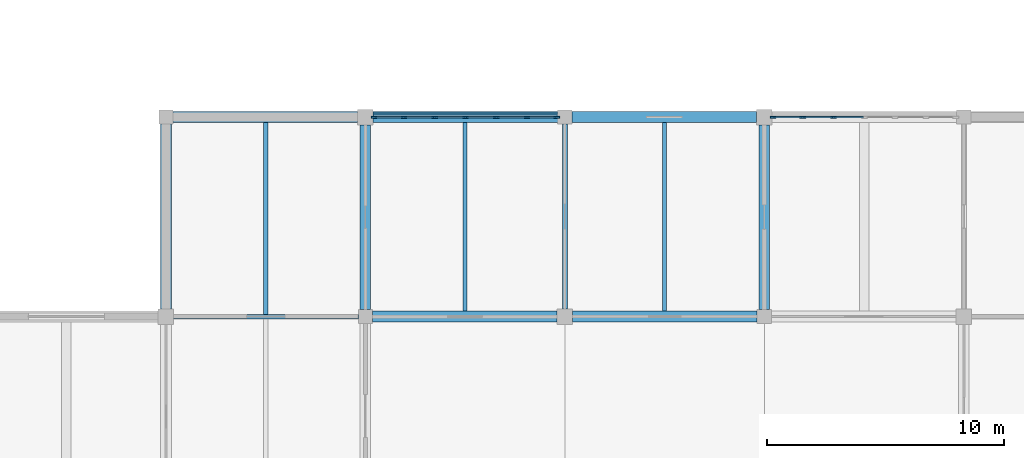
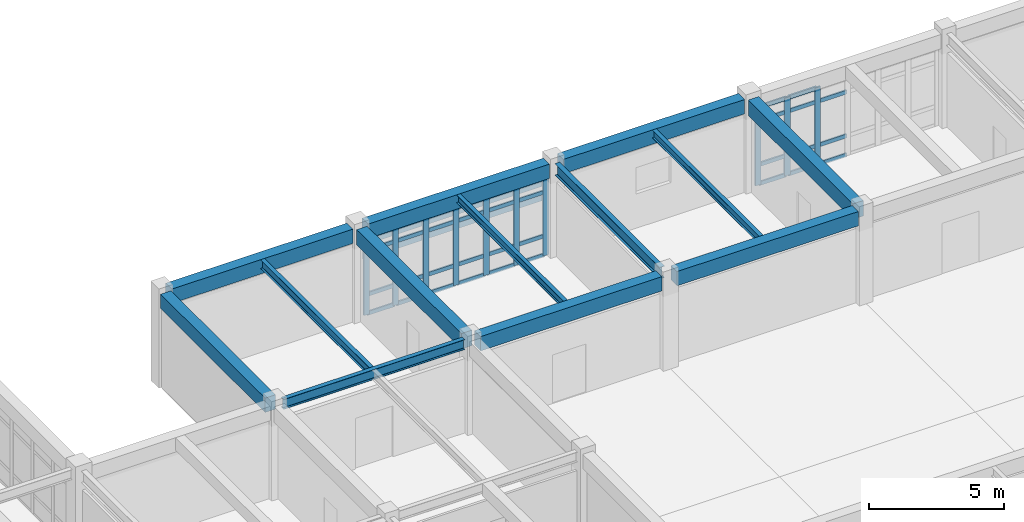
# One storey, part 20 of 78: 47 members, 13 beams, 2 elements without a shape of their own.
"""IFC4 building model written with IfcOpenShell, lengths in metres."""

from ifc_helpers import new_model, si_unit, direction, frame, origin, origin_2d, place, context, subcontext, project, spatial, rectangle, i_section, extrude, material, layer, layer_set, material_profile, profile_set, type_object, element, aggregate, save


model = new_model("IFC4")

# Units and contexts
model_context = context("Model", 3, precision=1e-05, world=origin(), true_north=direction((0.0, 1.0)))
body_context = subcontext(model_context, "Body", "Model", "MODEL_VIEW")
ifc_project = project(units=[si_unit("LENGTHUNIT", "METRE"), si_unit("AREAUNIT", "SQUARE_METRE"), si_unit("VOLUMEUNIT", "CUBIC_METRE"), si_unit("PLANEANGLEUNIT", "RADIAN"), si_unit("MASSUNIT", "GRAM", prefix="KILO")], contexts=[model_context])

# Site, building, storey
site_placement = place(None, origin())
site = spatial("IfcSite", under=ifc_project, at=site_placement, CompositionType="ELEMENT")
building_placement = place(site_placement, origin())
building = spatial("IfcBuilding", under=site, at=building_placement, Name="Porcellanite Civic Hall", CompositionType="ELEMENT")
storey_placement = place(building_placement, frame((0.0, 0.0, 10.260009765625)))
storey = spatial("IfcBuildingStorey", under=building, at=storey_placement, Name="L02", CompositionType="ELEMENT", Elevation=10.260009765625)

# Beams
ifc_material_1 = material(Name="Concrete N50 (50 MPa)", Category="concrete")
ifc_material_profile_1 = material_profile(ifc_material_1, rectangle(XDim=0.449951171875, YDim=0.64990234375, at=origin_2d()), Name="RC-450x650")
ifc_profile_set_1 = profile_set([ifc_material_profile_1], Name="Concrete N50 (50 MPa)")
beam_type_1 = type_object("IfcBeamType", Name="BM-RC650", PredefinedType="SPANDREL", material=ifc_profile_set_1)
beam_1_placement = place(storey_placement, frame((67.49951171875, 75.60009765625, 3.9150390625), z_axis=(1.0, 0.0, 0.0), x_axis=(0.0, 1.0, 0.0)))
element("IfcBeam", 1, at=beam_1_placement, inside=storey, type_object=beam_type_1, Name="Beam X L02 9-10", PredefinedType="SPANDREL", context=body_context, shape_type="SweptSolid", body=[
    extrude(rectangle(XDim=0.449951171875, YDim=0.64990234375, at=origin_2d()), origin(), (0.0, 0.0, 1.0), 7.77587890625),
])
beam_2_placement = place(storey_placement, frame((75.8994140625, 67.199951171875, 3.9150390625), z_axis=(1.0, 0.0, 0.0), x_axis=(0.0, 1.0, 0.0)))
element("IfcBeam", 2, at=beam_2_placement, inside=storey, type_object=beam_type_1, Name="Beam X L02 10-9", PredefinedType="SPANDREL", context=body_context, shape_type="SweptSolid", body=[
    extrude(rectangle(XDim=0.449951171875, YDim=0.64990234375, at=origin_2d()), origin(), (0.0, 0.0, 1.0), 7.776123046875),
])
beam_3_placement = place(storey_placement, frame((75.924560546875, 75.60009765625, 3.9150390625), z_axis=(1.0, 0.0, 0.0), x_axis=(0.0, 1.0, 0.0)))
element("IfcBeam", 3, at=beam_3_placement, inside=storey, type_object=beam_type_1, Name="Beam X L02 10-10", PredefinedType="SPANDREL", context=body_context, shape_type="SweptSolid", body=[
    extrude(rectangle(XDim=0.449951171875, YDim=0.64990234375, at=origin_2d()), origin(), (0.0, 0.0, 1.0), 7.77587890625),
])
beam_4_placement = place(storey_placement, frame((84.324462890625, 67.199951171875, 3.9150390625), z_axis=(1.0, 0.0, 0.0), x_axis=(0.0, 1.0, 0.0)))
element("IfcBeam", 4, at=beam_4_placement, inside=storey, type_object=beam_type_1, Name="Beam X L02 11-9", PredefinedType="SPANDREL", context=body_context, shape_type="SweptSolid", body=[
    extrude(rectangle(XDim=0.449951171875, YDim=0.64990234375, at=origin_2d()), origin(), (0.0, 0.0, 1.0), 7.776123046875),
])
beam_5_placement = place(storey_placement, frame((84.299560546875, 75.60009765625, 3.9150390625), z_axis=(1.0, 0.0, 0.0), x_axis=(0.0, 1.0, 0.0)))
element("IfcBeam", 5, at=beam_5_placement, inside=storey, type_object=beam_type_1, Name="Beam X L02 11-10", PredefinedType="SPANDREL", context=body_context, shape_type="SweptSolid", body=[
    extrude(rectangle(XDim=0.449951171875, YDim=0.64990234375, at=origin_2d()), origin(), (0.0, 0.0, 1.0), 7.77587890625),
])
beam_6_placement = place(storey_placement, frame((67.199951171875, 67.5244140625, 3.9150390625), z_axis=(0.0, 1.0, 0.0), x_axis=(-1.0, 0.0, 0.0)))
element("IfcBeam", 6, at=beam_6_placement, inside=storey, type_object=beam_type_1, Name="Beam Y L02 9-9", PredefinedType="SPANDREL", context=body_context, shape_type="SweptSolid", body=[
    extrude(rectangle(XDim=0.449951171875, YDim=0.64990234375, at=origin_2d()), origin(), (0.0, 0.0, 1.0), 7.776123046875),
])
ifc_material_2 = material(Name="Concrete N50 (50 MPa)", Category="concrete")
ifc_material_profile_2 = material_profile(ifc_material_2, rectangle(XDim=0.449951171875, YDim=0.699951171875, at=origin_2d()), Name="RC-450x700")
ifc_profile_set_2 = profile_set([ifc_material_profile_2], Name="Concrete N50 (50 MPa)")
beam_type_2 = type_object("IfcBeamType", Name="BM-RC700", PredefinedType="BEAM", material=ifc_profile_set_2)
for number, where, z_axis, x_axis, name in (
    (7, (75.60009765625, 67.49951171875, 3.889892578125), (0.0, 1.0, 0.0), (-1.0, 0.0, 0.0), "Beam Y L02 10-9"),
    (8, (92.39990234375, 67.49951171875, 3.889892578125), (0.0, 1.0, 0.0), (-1.0, 0.0, 0.0), "Beam Y L02 12-9"),
):
    element("IfcBeam", number, at=place(storey_placement, frame(where, z_axis=z_axis, x_axis=x_axis)), inside=storey, type_object=beam_type_2, Name=name, PredefinedType="BEAM", context=body_context, shape_type="SweptSolid", body=[
        extrude(rectangle(XDim=0.449951171875, YDim=0.699951171875, at=origin_2d()), origin(), (0.0, 0.0, 1.0), 7.77587890625),
    ])

# Curtain wall, members
ifc_material_3 = material(Name="Anodised aluminium and solar laminated glass", Category="aluminium")
ifc_layer = layer(ifc_material_3, 0.179931640625)
ifc_layer_set = layer_set([ifc_layer], Name="Anodised aluminium and solar laminated glass")
curtain_wall_type = type_object("IfcCurtainWallType", Name="CW-SYS01", PredefinedType="NOTDEFINED", material=ifc_layer_set)
curtain_wall_1_placement = place(storey_placement, origin())
curtain_wall_1 = element("IfcCurtainWall", 9, at=curtain_wall_1_placement, inside=storey, type_object=curtain_wall_type, Name="Curtain wall CW-154", PredefinedType="NOTDEFINED")
ifc_material_4 = material(Name="Anodised aluminium 6063-T6", Category="aluminium")
ifc_material_profile_3 = material_profile(ifc_material_4, rectangle(XDim=0.080078125, YDim=0.239990234375, at=origin_2d()), Name="AL-80x240")
ifc_profile_set_3 = profile_set([ifc_material_profile_3], Name="Anodised aluminium 6063-T6")
member_type_1 = type_object("IfcMemberType", Name="CWM-01", PredefinedType="MULLION", material=ifc_profile_set_3)
member_1_placement = place(storey_placement, frame((75.966064453125, 75.60009765625, 0.0), z_axis=(0.0, 0.0, 1.0), x_axis=(0.0, 1.0, 0.0)))
member_1 = element("IfcMember", 10, at=member_1_placement, type_object=member_type_1, Name="CW-154 mullion 1", PredefinedType="MULLION", context=body_context, shape_type="SweptSolid", body=[
    extrude(rectangle(XDim=0.080078125, YDim=0.239990234375, at=origin_2d()), origin(), (0.0, 0.0, 1.0), 3.5400390625),
])
member_2_placement = place(storey_placement, frame((77.221435546875, 75.60009765625, 0.0), z_axis=(0.0, 0.0, 1.0), x_axis=(0.0, 1.0, 0.0)))
member_2 = element("IfcMember", 11, at=member_2_placement, type_object=member_type_1, Name="CW-154 mullion 2", PredefinedType="MULLION", context=body_context, shape_type="SweptSolid", body=[
    extrude(rectangle(XDim=0.080078125, YDim=0.239990234375, at=origin_2d()), origin(), (0.0, 0.0, 1.0), 3.5400390625),
])
member_3_placement = place(storey_placement, frame((78.51708984375, 75.60009765625, 0.0), z_axis=(0.0, 0.0, 1.0), x_axis=(0.0, 1.0, 0.0)))
member_3 = element("IfcMember", 12, at=member_3_placement, type_object=member_type_1, Name="CW-154 mullion 3", PredefinedType="MULLION", context=body_context, shape_type="SweptSolid", body=[
    extrude(rectangle(XDim=0.080078125, YDim=0.239990234375, at=origin_2d()), origin(), (0.0, 0.0, 1.0), 3.5400390625),
])
member_4_placement = place(storey_placement, frame((79.8125, 75.60009765625, 0.0), z_axis=(0.0, 0.0, 1.0), x_axis=(0.0, 1.0, 0.0)))
member_4 = element("IfcMember", 13, at=member_4_placement, type_object=member_type_1, Name="CW-154 mullion 4", PredefinedType="MULLION", context=body_context, shape_type="SweptSolid", body=[
    extrude(rectangle(XDim=0.080078125, YDim=0.239990234375, at=origin_2d()), origin(), (0.0, 0.0, 1.0), 3.5400390625),
])
member_5_placement = place(storey_placement, frame((81.10791015625, 75.60009765625, 0.0), z_axis=(0.0, 0.0, 1.0), x_axis=(0.0, 1.0, 0.0)))
member_5 = element("IfcMember", 14, at=member_5_placement, type_object=member_type_1, Name="CW-154 mullion 5", PredefinedType="MULLION", context=body_context, shape_type="SweptSolid", body=[
    extrude(rectangle(XDim=0.080078125, YDim=0.239990234375, at=origin_2d()), origin(), (0.0, 0.0, 1.0), 3.5400390625),
])
member_6_placement = place(storey_placement, frame((82.403564453125, 75.60009765625, 0.0), z_axis=(0.0, 0.0, 1.0), x_axis=(0.0, 1.0, 0.0)))
member_6 = element("IfcMember", 15, at=member_6_placement, type_object=member_type_1, Name="CW-154 mullion 6", PredefinedType="MULLION", context=body_context, shape_type="SweptSolid", body=[
    extrude(rectangle(XDim=0.080078125, YDim=0.239990234375, at=origin_2d()), origin(), (0.0, 0.0, 1.0), 3.5400390625),
])
member_7_placement = place(storey_placement, frame((83.658935546875, 75.60009765625, 0.0), z_axis=(0.0, 0.0, 1.0), x_axis=(0.0, 1.0, 0.0)))
member_7 = element("IfcMember", 16, at=member_7_placement, type_object=member_type_1, Name="CW-154 mullion 7", PredefinedType="MULLION", context=body_context, shape_type="SweptSolid", body=[
    extrude(rectangle(XDim=0.080078125, YDim=0.239990234375, at=origin_2d()), origin(), (0.0, 0.0, 1.0), 3.5400390625),
])

curtain_wall_2_placement = place(storey_placement, origin())
curtain_wall_2 = element("IfcCurtainWall", 17, at=curtain_wall_2_placement, inside=storey, type_object=curtain_wall_type, Name="Curtain wall CW-157", PredefinedType="NOTDEFINED")
member_8_placement = place(storey_placement, frame((92.76611328125, 75.60009765625, 0.0), z_axis=(0.0, 0.0, 1.0), x_axis=(0.0, 1.0, 0.0)))
member_8 = element("IfcMember", 18, at=member_8_placement, type_object=member_type_1, Name="CW-157 mullion 1", PredefinedType="MULLION", context=body_context, shape_type="SweptSolid", body=[
    extrude(rectangle(XDim=0.080078125, YDim=0.239990234375, at=origin_2d()), origin(), (0.0, 0.0, 1.0), 3.5400390625),
])
member_9_placement = place(storey_placement, frame((94.021484375, 75.60009765625, 0.0), z_axis=(0.0, 0.0, 1.0), x_axis=(0.0, 1.0, 0.0)))
member_9 = element("IfcMember", 19, at=member_9_placement, type_object=member_type_1, Name="CW-157 mullion 2", PredefinedType="MULLION", context=body_context, shape_type="SweptSolid", body=[
    extrude(rectangle(XDim=0.080078125, YDim=0.239990234375, at=origin_2d()), origin(), (0.0, 0.0, 1.0), 3.5400390625),
])
member_10_placement = place(storey_placement, frame((95.31689453125, 75.60009765625, 0.0), z_axis=(0.0, 0.0, 1.0), x_axis=(0.0, 1.0, 0.0)))
member_10 = element("IfcMember", 20, at=member_10_placement, type_object=member_type_1, Name="CW-157 mullion 3", PredefinedType="MULLION", context=body_context, shape_type="SweptSolid", body=[
    extrude(rectangle(XDim=0.080078125, YDim=0.239990234375, at=origin_2d()), origin(), (0.0, 0.0, 1.0), 3.5400390625),
])

# Member
ifc_material_5 = material(Name="Anodised aluminium 6063-T6", Category="aluminium")
ifc_material_profile_4 = material_profile(ifc_material_5, rectangle(XDim=0.070068359375, YDim=0.175048828125, at=origin_2d()), Name="AL-70x175")
ifc_profile_set_4 = profile_set([ifc_material_profile_4], Name="Anodised aluminium 6063-T6")
member_type_2 = type_object("IfcMemberType", Name="CWT-01", PredefinedType="USERDEFINED", material=ifc_profile_set_4)
member_11_placement = place(storey_placement, frame((76.006103515625, 75.60009765625, 0.034912109375), z_axis=(1.0, 0.0, 0.0), x_axis=(0.0, 1.0, 0.0)))
member_11 = element("IfcMember", 21, at=member_11_placement, type_object=member_type_2, Name="CW-154 transom 1.1", ObjectType="TRANSOM", PredefinedType="USERDEFINED", context=body_context, shape_type="SweptSolid", body=[
    extrude(rectangle(XDim=0.070068359375, YDim=0.175048828125, at=origin_2d()), origin(), (0.0, 0.0, 1.0), 1.17529296875),
])

member_12_placement = place(storey_placement, frame((76.006103515625, 75.60009765625, 0.89990234375), z_axis=(1.0, 0.0, 0.0), x_axis=(0.0, 1.0, 0.0)))
member_12 = element("IfcMember", 22, at=member_12_placement, type_object=member_type_2, Name="CW-154 transom 1.2", ObjectType="TRANSOM", PredefinedType="USERDEFINED", context=body_context, shape_type="SweptSolid", body=[
    extrude(rectangle(XDim=0.070068359375, YDim=0.175048828125, at=origin_2d()), origin(), (0.0, 0.0, 1.0), 1.17529296875),
])

member_13_placement = place(storey_placement, frame((76.006103515625, 75.60009765625, 2.889892578125), z_axis=(1.0, 0.0, 0.0), x_axis=(0.0, 1.0, 0.0)))
member_13 = element("IfcMember", 23, at=member_13_placement, type_object=member_type_2, Name="CW-154 transom 1.3", ObjectType="TRANSOM", PredefinedType="USERDEFINED", context=body_context, shape_type="SweptSolid", body=[
    extrude(rectangle(XDim=0.070068359375, YDim=0.175048828125, at=origin_2d()), origin(), (0.0, 0.0, 1.0), 1.17529296875),
])

member_14_placement = place(storey_placement, frame((76.006103515625, 75.60009765625, 3.5048828125), z_axis=(1.0, 0.0, 0.0), x_axis=(0.0, 1.0, 0.0)))
member_14 = element("IfcMember", 24, at=member_14_placement, type_object=member_type_2, Name="CW-154 transom 1.4", ObjectType="TRANSOM", PredefinedType="USERDEFINED", context=body_context, shape_type="SweptSolid", body=[
    extrude(rectangle(XDim=0.070068359375, YDim=0.175048828125, at=origin_2d()), origin(), (0.0, 0.0, 1.0), 1.17529296875),
])

member_15_placement = place(storey_placement, frame((77.261474609375, 75.60009765625, 0.034912109375), z_axis=(1.0, 0.0, 0.0), x_axis=(0.0, 1.0, 0.0)))
member_15 = element("IfcMember", 25, at=member_15_placement, type_object=member_type_2, Name="CW-154 transom 2.1", ObjectType="TRANSOM", PredefinedType="USERDEFINED", context=body_context, shape_type="SweptSolid", body=[
    extrude(rectangle(XDim=0.070068359375, YDim=0.175048828125, at=origin_2d()), origin(), (0.0, 0.0, 1.0), 1.215576171875),
])

member_16_placement = place(storey_placement, frame((77.261474609375, 75.60009765625, 0.89990234375), z_axis=(1.0, 0.0, 0.0), x_axis=(0.0, 1.0, 0.0)))
member_16 = element("IfcMember", 26, at=member_16_placement, type_object=member_type_2, Name="CW-154 transom 2.2", ObjectType="TRANSOM", PredefinedType="USERDEFINED", context=body_context, shape_type="SweptSolid", body=[
    extrude(rectangle(XDim=0.070068359375, YDim=0.175048828125, at=origin_2d()), origin(), (0.0, 0.0, 1.0), 1.215576171875),
])

member_17_placement = place(storey_placement, frame((77.261474609375, 75.60009765625, 2.889892578125), z_axis=(1.0, 0.0, 0.0), x_axis=(0.0, 1.0, 0.0)))
member_17 = element("IfcMember", 27, at=member_17_placement, type_object=member_type_2, Name="CW-154 transom 2.3", ObjectType="TRANSOM", PredefinedType="USERDEFINED", context=body_context, shape_type="SweptSolid", body=[
    extrude(rectangle(XDim=0.070068359375, YDim=0.175048828125, at=origin_2d()), origin(), (0.0, 0.0, 1.0), 1.215576171875),
])

member_18_placement = place(storey_placement, frame((77.261474609375, 75.60009765625, 3.5048828125), z_axis=(1.0, 0.0, 0.0), x_axis=(0.0, 1.0, 0.0)))
member_18 = element("IfcMember", 28, at=member_18_placement, type_object=member_type_2, Name="CW-154 transom 2.4", ObjectType="TRANSOM", PredefinedType="USERDEFINED", context=body_context, shape_type="SweptSolid", body=[
    extrude(rectangle(XDim=0.070068359375, YDim=0.175048828125, at=origin_2d()), origin(), (0.0, 0.0, 1.0), 1.215576171875),
])

member_19_placement = place(storey_placement, frame((78.556884765625, 75.60009765625, 0.034912109375), z_axis=(1.0, 0.0, 0.0), x_axis=(0.0, 1.0, 0.0)))
member_19 = element("IfcMember", 29, at=member_19_placement, type_object=member_type_2, Name="CW-154 transom 3.1", ObjectType="TRANSOM", PredefinedType="USERDEFINED", context=body_context, shape_type="SweptSolid", body=[
    extrude(rectangle(XDim=0.070068359375, YDim=0.175048828125, at=origin_2d()), origin(), (0.0, 0.0, 1.0), 1.215576171875),
])

member_20_placement = place(storey_placement, frame((78.556884765625, 75.60009765625, 0.89990234375), z_axis=(1.0, 0.0, 0.0), x_axis=(0.0, 1.0, 0.0)))
member_20 = element("IfcMember", 30, at=member_20_placement, type_object=member_type_2, Name="CW-154 transom 3.2", ObjectType="TRANSOM", PredefinedType="USERDEFINED", context=body_context, shape_type="SweptSolid", body=[
    extrude(rectangle(XDim=0.070068359375, YDim=0.175048828125, at=origin_2d()), origin(), (0.0, 0.0, 1.0), 1.215576171875),
])

member_21_placement = place(storey_placement, frame((78.556884765625, 75.60009765625, 2.889892578125), z_axis=(1.0, 0.0, 0.0), x_axis=(0.0, 1.0, 0.0)))
member_21 = element("IfcMember", 31, at=member_21_placement, type_object=member_type_2, Name="CW-154 transom 3.3", ObjectType="TRANSOM", PredefinedType="USERDEFINED", context=body_context, shape_type="SweptSolid", body=[
    extrude(rectangle(XDim=0.070068359375, YDim=0.175048828125, at=origin_2d()), origin(), (0.0, 0.0, 1.0), 1.215576171875),
])

member_22_placement = place(storey_placement, frame((78.556884765625, 75.60009765625, 3.5048828125), z_axis=(1.0, 0.0, 0.0), x_axis=(0.0, 1.0, 0.0)))
member_22 = element("IfcMember", 32, at=member_22_placement, type_object=member_type_2, Name="CW-154 transom 3.4", ObjectType="TRANSOM", PredefinedType="USERDEFINED", context=body_context, shape_type="SweptSolid", body=[
    extrude(rectangle(XDim=0.070068359375, YDim=0.175048828125, at=origin_2d()), origin(), (0.0, 0.0, 1.0), 1.215576171875),
])

member_23_placement = place(storey_placement, frame((79.8525390625, 75.60009765625, 0.034912109375), z_axis=(1.0, 0.0, 0.0), x_axis=(0.0, 1.0, 0.0)))
member_23 = element("IfcMember", 33, at=member_23_placement, type_object=member_type_2, Name="CW-154 transom 4.1", ObjectType="TRANSOM", PredefinedType="USERDEFINED", context=body_context, shape_type="SweptSolid", body=[
    extrude(rectangle(XDim=0.070068359375, YDim=0.175048828125, at=origin_2d()), origin(), (0.0, 0.0, 1.0), 1.215576171875),
])

member_24_placement = place(storey_placement, frame((79.8525390625, 75.60009765625, 0.89990234375), z_axis=(1.0, 0.0, 0.0), x_axis=(0.0, 1.0, 0.0)))
member_24 = element("IfcMember", 34, at=member_24_placement, type_object=member_type_2, Name="CW-154 transom 4.2", ObjectType="TRANSOM", PredefinedType="USERDEFINED", context=body_context, shape_type="SweptSolid", body=[
    extrude(rectangle(XDim=0.070068359375, YDim=0.175048828125, at=origin_2d()), origin(), (0.0, 0.0, 1.0), 1.215576171875),
])

member_25_placement = place(storey_placement, frame((79.8525390625, 75.60009765625, 2.889892578125), z_axis=(1.0, 0.0, 0.0), x_axis=(0.0, 1.0, 0.0)))
member_25 = element("IfcMember", 35, at=member_25_placement, type_object=member_type_2, Name="CW-154 transom 4.3", ObjectType="TRANSOM", PredefinedType="USERDEFINED", context=body_context, shape_type="SweptSolid", body=[
    extrude(rectangle(XDim=0.070068359375, YDim=0.175048828125, at=origin_2d()), origin(), (0.0, 0.0, 1.0), 1.215576171875),
])

member_26_placement = place(storey_placement, frame((79.8525390625, 75.60009765625, 3.5048828125), z_axis=(1.0, 0.0, 0.0), x_axis=(0.0, 1.0, 0.0)))
member_26 = element("IfcMember", 36, at=member_26_placement, type_object=member_type_2, Name="CW-154 transom 4.4", ObjectType="TRANSOM", PredefinedType="USERDEFINED", context=body_context, shape_type="SweptSolid", body=[
    extrude(rectangle(XDim=0.070068359375, YDim=0.175048828125, at=origin_2d()), origin(), (0.0, 0.0, 1.0), 1.215576171875),
])

member_27_placement = place(storey_placement, frame((81.14794921875, 75.60009765625, 0.034912109375), z_axis=(1.0, 0.0, 0.0), x_axis=(0.0, 1.0, 0.0)))
member_27 = element("IfcMember", 37, at=member_27_placement, type_object=member_type_2, Name="CW-154 transom 5.1", ObjectType="TRANSOM", PredefinedType="USERDEFINED", context=body_context, shape_type="SweptSolid", body=[
    extrude(rectangle(XDim=0.070068359375, YDim=0.175048828125, at=origin_2d()), origin(), (0.0, 0.0, 1.0), 1.215576171875),
])

member_28_placement = place(storey_placement, frame((81.14794921875, 75.60009765625, 0.89990234375), z_axis=(1.0, 0.0, 0.0), x_axis=(0.0, 1.0, 0.0)))
member_28 = element("IfcMember", 38, at=member_28_placement, type_object=member_type_2, Name="CW-154 transom 5.2", ObjectType="TRANSOM", PredefinedType="USERDEFINED", context=body_context, shape_type="SweptSolid", body=[
    extrude(rectangle(XDim=0.070068359375, YDim=0.175048828125, at=origin_2d()), origin(), (0.0, 0.0, 1.0), 1.215576171875),
])

member_29_placement = place(storey_placement, frame((81.14794921875, 75.60009765625, 2.889892578125), z_axis=(1.0, 0.0, 0.0), x_axis=(0.0, 1.0, 0.0)))
member_29 = element("IfcMember", 39, at=member_29_placement, type_object=member_type_2, Name="CW-154 transom 5.3", ObjectType="TRANSOM", PredefinedType="USERDEFINED", context=body_context, shape_type="SweptSolid", body=[
    extrude(rectangle(XDim=0.070068359375, YDim=0.175048828125, at=origin_2d()), origin(), (0.0, 0.0, 1.0), 1.215576171875),
])

member_30_placement = place(storey_placement, frame((81.14794921875, 75.60009765625, 3.5048828125), z_axis=(1.0, 0.0, 0.0), x_axis=(0.0, 1.0, 0.0)))
member_30 = element("IfcMember", 40, at=member_30_placement, type_object=member_type_2, Name="CW-154 transom 5.4", ObjectType="TRANSOM", PredefinedType="USERDEFINED", context=body_context, shape_type="SweptSolid", body=[
    extrude(rectangle(XDim=0.070068359375, YDim=0.175048828125, at=origin_2d()), origin(), (0.0, 0.0, 1.0), 1.215576171875),
])

member_31_placement = place(storey_placement, frame((82.443603515625, 75.60009765625, 0.034912109375), z_axis=(1.0, 0.0, 0.0), x_axis=(0.0, 1.0, 0.0)))
member_31 = element("IfcMember", 41, at=member_31_placement, type_object=member_type_2, Name="CW-154 transom 6.1", ObjectType="TRANSOM", PredefinedType="USERDEFINED", context=body_context, shape_type="SweptSolid", body=[
    extrude(rectangle(XDim=0.070068359375, YDim=0.175048828125, at=origin_2d()), origin(), (0.0, 0.0, 1.0), 1.17529296875),
])

member_32_placement = place(storey_placement, frame((82.443603515625, 75.60009765625, 0.89990234375), z_axis=(1.0, 0.0, 0.0), x_axis=(0.0, 1.0, 0.0)))
member_32 = element("IfcMember", 42, at=member_32_placement, type_object=member_type_2, Name="CW-154 transom 6.2", ObjectType="TRANSOM", PredefinedType="USERDEFINED", context=body_context, shape_type="SweptSolid", body=[
    extrude(rectangle(XDim=0.070068359375, YDim=0.175048828125, at=origin_2d()), origin(), (0.0, 0.0, 1.0), 1.17529296875),
])

member_33_placement = place(storey_placement, frame((82.443603515625, 75.60009765625, 2.889892578125), z_axis=(1.0, 0.0, 0.0), x_axis=(0.0, 1.0, 0.0)))
member_33 = element("IfcMember", 43, at=member_33_placement, type_object=member_type_2, Name="CW-154 transom 6.3", ObjectType="TRANSOM", PredefinedType="USERDEFINED", context=body_context, shape_type="SweptSolid", body=[
    extrude(rectangle(XDim=0.070068359375, YDim=0.175048828125, at=origin_2d()), origin(), (0.0, 0.0, 1.0), 1.17529296875),
])

member_34_placement = place(storey_placement, frame((82.443603515625, 75.60009765625, 3.5048828125), z_axis=(1.0, 0.0, 0.0), x_axis=(0.0, 1.0, 0.0)))
member_34 = element("IfcMember", 44, at=member_34_placement, type_object=member_type_2, Name="CW-154 transom 6.4", ObjectType="TRANSOM", PredefinedType="USERDEFINED", context=body_context, shape_type="SweptSolid", body=[
    extrude(rectangle(XDim=0.070068359375, YDim=0.175048828125, at=origin_2d()), origin(), (0.0, 0.0, 1.0), 1.17529296875),
])

aggregate(curtain_wall_1, [member_1, member_2, member_3, member_4, member_5, member_6, member_7, member_11, member_12, member_13, member_14, member_15, member_16, member_17, member_18, member_19, member_20, member_21, member_22, member_23, member_24, member_25, member_26, member_27, member_28, member_29, member_30, member_31, member_32, member_33, member_34])

member_35_placement = place(storey_placement, frame((92.805908203125, 75.60009765625, 0.034912109375), z_axis=(1.0, 0.0, 0.0), x_axis=(0.0, 1.0, 0.0)))
member_35 = element("IfcMember", 45, at=member_35_placement, type_object=member_type_2, Name="CW-157 transom 1.1", ObjectType="TRANSOM", PredefinedType="USERDEFINED", context=body_context, shape_type="SweptSolid", body=[
    extrude(rectangle(XDim=0.070068359375, YDim=0.175048828125, at=origin_2d()), origin(), (0.0, 0.0, 1.0), 1.175537109375),
])

member_36_placement = place(storey_placement, frame((92.805908203125, 75.60009765625, 0.89990234375), z_axis=(1.0, 0.0, 0.0), x_axis=(0.0, 1.0, 0.0)))
member_36 = element("IfcMember", 46, at=member_36_placement, type_object=member_type_2, Name="CW-157 transom 1.2", ObjectType="TRANSOM", PredefinedType="USERDEFINED", context=body_context, shape_type="SweptSolid", body=[
    extrude(rectangle(XDim=0.070068359375, YDim=0.175048828125, at=origin_2d()), origin(), (0.0, 0.0, 1.0), 1.175537109375),
])

member_37_placement = place(storey_placement, frame((92.805908203125, 75.60009765625, 2.889892578125), z_axis=(1.0, 0.0, 0.0), x_axis=(0.0, 1.0, 0.0)))
member_37 = element("IfcMember", 47, at=member_37_placement, type_object=member_type_2, Name="CW-157 transom 1.3", ObjectType="TRANSOM", PredefinedType="USERDEFINED", context=body_context, shape_type="SweptSolid", body=[
    extrude(rectangle(XDim=0.070068359375, YDim=0.175048828125, at=origin_2d()), origin(), (0.0, 0.0, 1.0), 1.175537109375),
])

member_38_placement = place(storey_placement, frame((92.805908203125, 75.60009765625, 3.5048828125), z_axis=(1.0, 0.0, 0.0), x_axis=(0.0, 1.0, 0.0)))
member_38 = element("IfcMember", 48, at=member_38_placement, type_object=member_type_2, Name="CW-157 transom 1.4", ObjectType="TRANSOM", PredefinedType="USERDEFINED", context=body_context, shape_type="SweptSolid", body=[
    extrude(rectangle(XDim=0.070068359375, YDim=0.175048828125, at=origin_2d()), origin(), (0.0, 0.0, 1.0), 1.175537109375),
])

member_39_placement = place(storey_placement, frame((94.0615234375, 75.60009765625, 0.034912109375), z_axis=(1.0, 0.0, 0.0), x_axis=(0.0, 1.0, 0.0)))
member_39 = element("IfcMember", 49, at=member_39_placement, type_object=member_type_2, Name="CW-157 transom 2.1", ObjectType="TRANSOM", PredefinedType="USERDEFINED", context=body_context, shape_type="SweptSolid", body=[
    extrude(rectangle(XDim=0.070068359375, YDim=0.175048828125, at=origin_2d()), origin(), (0.0, 0.0, 1.0), 1.215576171875),
])

member_40_placement = place(storey_placement, frame((94.0615234375, 75.60009765625, 0.89990234375), z_axis=(1.0, 0.0, 0.0), x_axis=(0.0, 1.0, 0.0)))
member_40 = element("IfcMember", 50, at=member_40_placement, type_object=member_type_2, Name="CW-157 transom 2.2", ObjectType="TRANSOM", PredefinedType="USERDEFINED", context=body_context, shape_type="SweptSolid", body=[
    extrude(rectangle(XDim=0.070068359375, YDim=0.175048828125, at=origin_2d()), origin(), (0.0, 0.0, 1.0), 1.215576171875),
])

member_41_placement = place(storey_placement, frame((94.0615234375, 75.60009765625, 2.889892578125), z_axis=(1.0, 0.0, 0.0), x_axis=(0.0, 1.0, 0.0)))
member_41 = element("IfcMember", 51, at=member_41_placement, type_object=member_type_2, Name="CW-157 transom 2.3", ObjectType="TRANSOM", PredefinedType="USERDEFINED", context=body_context, shape_type="SweptSolid", body=[
    extrude(rectangle(XDim=0.070068359375, YDim=0.175048828125, at=origin_2d()), origin(), (0.0, 0.0, 1.0), 1.215576171875),
])

member_42_placement = place(storey_placement, frame((94.0615234375, 75.60009765625, 3.5048828125), z_axis=(1.0, 0.0, 0.0), x_axis=(0.0, 1.0, 0.0)))
member_42 = element("IfcMember", 52, at=member_42_placement, type_object=member_type_2, Name="CW-157 transom 2.4", ObjectType="TRANSOM", PredefinedType="USERDEFINED", context=body_context, shape_type="SweptSolid", body=[
    extrude(rectangle(XDim=0.070068359375, YDim=0.175048828125, at=origin_2d()), origin(), (0.0, 0.0, 1.0), 1.215576171875),
])

member_43_placement = place(storey_placement, frame((95.35693359375, 75.60009765625, 0.034912109375), z_axis=(1.0, 0.0, 0.0), x_axis=(0.0, 1.0, 0.0)))
member_43 = element("IfcMember", 53, at=member_43_placement, type_object=member_type_2, Name="CW-157 transom 3.1", ObjectType="TRANSOM", PredefinedType="USERDEFINED", context=body_context, shape_type="SweptSolid", body=[
    extrude(rectangle(XDim=0.070068359375, YDim=0.175048828125, at=origin_2d()), origin(), (0.0, 0.0, 1.0), 1.215576171875),
])

member_44_placement = place(storey_placement, frame((95.35693359375, 75.60009765625, 0.89990234375), z_axis=(1.0, 0.0, 0.0), x_axis=(0.0, 1.0, 0.0)))
member_44 = element("IfcMember", 54, at=member_44_placement, type_object=member_type_2, Name="CW-157 transom 3.2", ObjectType="TRANSOM", PredefinedType="USERDEFINED", context=body_context, shape_type="SweptSolid", body=[
    extrude(rectangle(XDim=0.070068359375, YDim=0.175048828125, at=origin_2d()), origin(), (0.0, 0.0, 1.0), 1.215576171875),
])

member_45_placement = place(storey_placement, frame((95.35693359375, 75.60009765625, 2.889892578125), z_axis=(1.0, 0.0, 0.0), x_axis=(0.0, 1.0, 0.0)))
member_45 = element("IfcMember", 55, at=member_45_placement, type_object=member_type_2, Name="CW-157 transom 3.3", ObjectType="TRANSOM", PredefinedType="USERDEFINED", context=body_context, shape_type="SweptSolid", body=[
    extrude(rectangle(XDim=0.070068359375, YDim=0.175048828125, at=origin_2d()), origin(), (0.0, 0.0, 1.0), 1.215576171875),
])

aggregate(curtain_wall_2, [member_8, member_9, member_10, member_35, member_36, member_37, member_38, member_39, member_40, member_41, member_42, member_43, member_44, member_45])

# Beams
ifc_material_6 = material(Name="Steel Grade 350", Category="steel")
ifc_material_profile_5 = material_profile(ifc_material_6, i_section(OverallWidth=0.1708984375, OverallDepth=0.35595703125, WebThickness=0.00732421875, FlangeThickness=0.011474609375, FilletRadius=0.011474609375, at=origin_2d()), Name="360UB50.7")
ifc_profile_set_5 = profile_set([ifc_material_profile_5], Name="Steel Grade 350")
beam_type_3 = type_object("IfcBeamType", Name="JST-360UB51", PredefinedType="JOIST", material=ifc_profile_set_5)
beam_7_placement = place(storey_placement, frame((88.199951171875, 67.424560546875, 4.06201171875), z_axis=(0.0, 1.0, 0.0), x_axis=(-1.0, 0.0, 0.0)))
element("IfcBeam", 56, at=beam_7_placement, inside=storey, type_object=beam_type_3, Name="Secondary joist L02 11-9", PredefinedType="JOIST", context=body_context, shape_type="SweptSolid", body=[
    extrude(i_section(OverallWidth=0.1708984375, OverallDepth=0.35595703125, WebThickness=0.00732421875, FlangeThickness=0.011474609375, FilletRadius=0.011474609375, at=origin_2d()), origin(), (0.0, 0.0, 1.0), 7.950927734375),
])
ifc_material_7 = material(Name="Steel Grade 350", Category="steel")
ifc_material_profile_6 = material_profile(ifc_material_7, i_section(OverallWidth=0.172119140625, OverallDepth=0.35888671875, WebThickness=0.008056640625, FlangeThickness=0.012939453125, FilletRadius=0.011474609375, at=origin_2d()), Name="360UB56.7")
ifc_profile_set_6 = profile_set([ifc_material_profile_6], Name="Steel Grade 350")
beam_type_4 = type_object("IfcBeamType", Name="JST-360UB57", PredefinedType="JOIST", material=ifc_profile_set_6)
beam_8_placement = place(storey_placement, frame((79.800048828125, 67.424560546875, 4.060546875), z_axis=(0.0, 1.0, 0.0), x_axis=(-1.0, 0.0, 0.0)))
element("IfcBeam", 57, at=beam_8_placement, inside=storey, type_object=beam_type_4, Name="Secondary joist L02 10-9", PredefinedType="JOIST", context=body_context, shape_type="SweptSolid", body=[
    extrude(i_section(OverallWidth=0.172119140625, OverallDepth=0.35888671875, WebThickness=0.008056640625, FlangeThickness=0.012939453125, FilletRadius=0.011474609375, at=origin_2d()), origin(), (0.0, 0.0, 1.0), 7.950927734375),
])
ifc_material_8 = material(Name="Steel Grade 350", Category="steel")
ifc_material_profile_7 = material_profile(ifc_material_8, i_section(OverallWidth=0.177978515625, OverallDepth=0.403076171875, WebThickness=0.007568359375, FlangeThickness=0.010986328125, FilletRadius=0.011474609375, at=origin_2d()), Name="410UB53.7")
ifc_profile_set_7 = profile_set([ifc_material_profile_7], Name="Steel Grade 350")
beam_type_5 = type_object("IfcBeamType", Name="JST-410UB54", PredefinedType="JOIST", material=ifc_profile_set_7)
beam_9_placement = place(storey_placement, frame((71.39990234375, 67.29443359375, 4.03857421875), z_axis=(0.0, 1.0, 0.0), x_axis=(-1.0, 0.0, 0.0)))
element("IfcBeam", 58, at=beam_9_placement, inside=storey, type_object=beam_type_5, Name="Secondary joist L02 9-9", PredefinedType="JOIST", context=body_context, shape_type="SweptSolid", body=[
    extrude(i_section(OverallWidth=0.177978515625, OverallDepth=0.403076171875, WebThickness=0.007568359375, FlangeThickness=0.010986328125, FilletRadius=0.011474609375, at=origin_2d()), origin(), (0.0, 0.0, 1.0), 8.0810546875),
])

# Members
ifc_material_9 = material(Name="Fluoropolymer bauxite-red aluminium 6063-T6", Category="aluminium")
ifc_material_profile_8 = material_profile(ifc_material_9, rectangle(XDim=0.090087890625, YDim=0.360107421875, at=origin_2d()), Name="AL-90x360")
ifc_profile_set_8 = profile_set([ifc_material_profile_8], Name="Fluoropolymer bauxite-red aluminium 6063-T6")
member_type_3 = type_object("IfcMemberType", Name="LV-BLD01", PredefinedType="USERDEFINED", material=ifc_profile_set_8)
for number, where, z_axis, x_axis, name in (
    (59, (75.924560546875, 75.76708984375, 3.239990234375), (1.0, 0.0, 0.0), (0.0, 1.0, 0.0), "Cyclone sunshade louvre L02 N 9-8 1"),
    (60, (75.924560546875, 75.76708984375, 2.590087890625), (1.0, 0.0, 0.0), (0.0, 1.0, 0.0), "Cyclone sunshade louvre L02 N 9-8 2"),
):
    element("IfcMember", number, at=place(storey_placement, frame(where, z_axis=z_axis, x_axis=x_axis)), inside=storey, type_object=member_type_3, Name=name, ObjectType="LOUVRE BLADE", PredefinedType="USERDEFINED", context=body_context, shape_type="SweptSolid", body=[
        extrude(rectangle(XDim=0.090087890625, YDim=0.360107421875, at=origin_2d()), origin(), (0.0, 0.0, 1.0), 7.77587890625),
    ])

# Beams
ifc_material_10 = material(Name="Steel Grade 350", Category="steel")
ifc_material_profile_9 = material_profile(ifc_material_10, i_section(OverallWidth=0.18994140625, OverallDepth=0.4541015625, WebThickness=0.008544921875, FlangeThickness=0.0126953125, FilletRadius=0.011474609375, at=origin_2d()), Name="460UB67.1")
ifc_profile_set_9 = profile_set([ifc_material_profile_9], Name="Steel Grade 350")
beam_type_6 = type_object("IfcBeamType", Name="RAF-460UB67", PredefinedType="BEAM", material=ifc_profile_set_9)
beam_10_placement = place(storey_placement, frame((67.5244140625, 67.199951171875, 4.012939453125), z_axis=(1.0, 0.0, 0.0), x_axis=(0.0, 1.0, 0.0)))
element("IfcBeam", 61, at=beam_10_placement, inside=storey, type_object=beam_type_6, Name="Beam X L02 9-9", PredefinedType="BEAM", context=body_context, shape_type="SweptSolid", body=[
    extrude(i_section(OverallWidth=0.18994140625, OverallDepth=0.4541015625, WebThickness=0.008544921875, FlangeThickness=0.0126953125, FilletRadius=0.011474609375, at=origin_2d()), origin(), (0.0, 0.0, 1.0), 7.776123046875),
])
ifc_material_11 = material(Name="Steel Grade 350", Category="steel")
ifc_material_profile_10 = material_profile(ifc_material_11, i_section(OverallWidth=0.208984375, OverallDepth=0.528076171875, WebThickness=0.009521484375, FlangeThickness=0.01318359375, FilletRadius=0.013916015625, at=origin_2d()), Name="530UB82.0")
ifc_profile_set_10 = profile_set([ifc_material_profile_10], Name="Steel Grade 350")
beam_type_7 = type_object("IfcBeamType", Name="RAF-530UB82", PredefinedType="BEAM", material=ifc_profile_set_10)
beam_11_placement = place(storey_placement, frame((84.0, 67.5244140625, 3.97607421875), z_axis=(0.0, 1.0, 0.0), x_axis=(-1.0, 0.0, 0.0)))
element("IfcBeam", 62, at=beam_11_placement, inside=storey, type_object=beam_type_7, Name="Beam Y L02 11-9", PredefinedType="BEAM", context=body_context, shape_type="SweptSolid", body=[
    extrude(i_section(OverallWidth=0.208984375, OverallDepth=0.528076171875, WebThickness=0.009521484375, FlangeThickness=0.01318359375, FilletRadius=0.013916015625, at=origin_2d()), origin(), (0.0, 0.0, 1.0), 7.776123046875),
])

save(model, "model.ifc")
